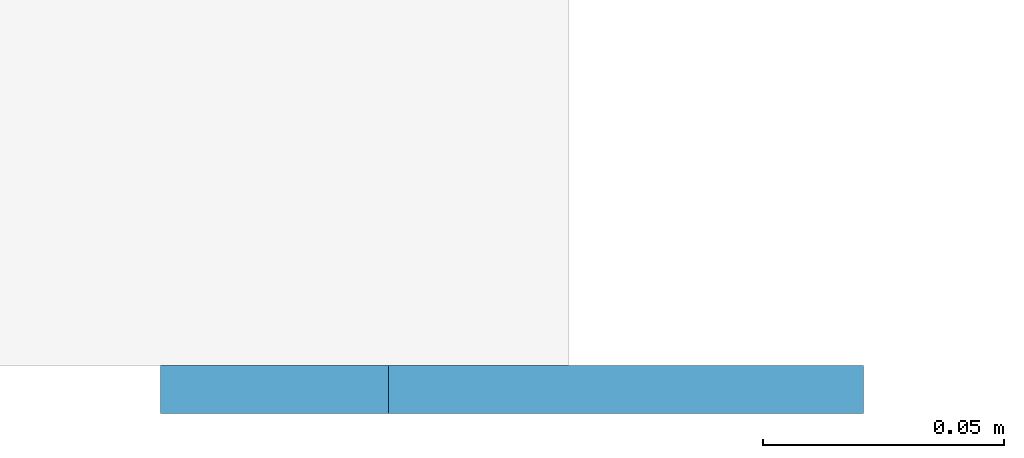
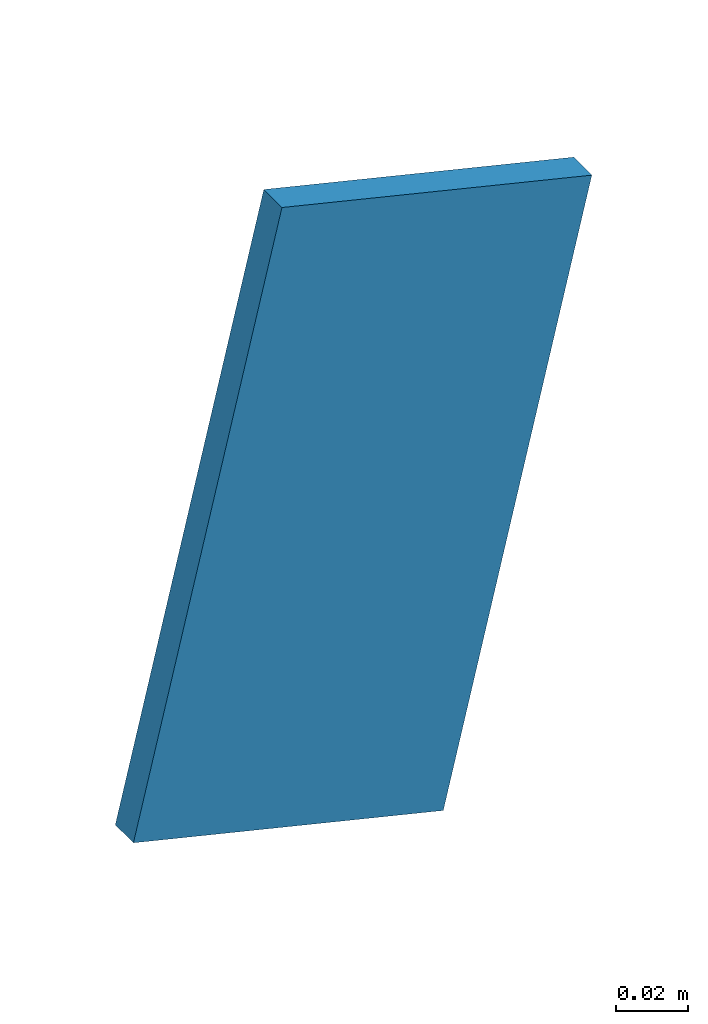
# One storey, part 3 of 13: 1 discrete accessory.
"""IFC4 building model written with IfcOpenShell, lengths in metres."""

import ifcopenshell
import ifcopenshell.guid

model = None  # the IFC model being written
_history = None  # IfcOwnerHistory: only IFC2X3 demands one
_inside = {}  # id of a spatial element -> (the spatial element, [elements in it])
_under = {}  # id of a project, library or spatial element -> (it, [spatial elements below it])
_declared = {}  # id of a project -> (the project, [libraries it declares])
_typed = {}  # id of a type object -> (the type object, [elements of that type])
_made_of = {}  # id of a material, layer set ... -> (it, [elements and type objects made of it])


def new_model(schema):
    """Start an empty IFC model of exactly this schema.

    Asked for "IFC4X3", IfcOpenShell would pick the latest addendum, in which some entities
    have other attributes; the version numbers below select the first issue.
    IFC2X3 requires an IfcOwnerHistory on every rooted entity: one is made here for all.
    """
    global model, _history
    if schema == "IFC4X3":
        model = ifcopenshell.file(schema_version=(4, 3, 0, 0))
    else:
        model = ifcopenshell.file(schema=schema)
    _inside.clear()
    _under.clear()
    _declared.clear()
    _typed.clear()
    _made_of.clear()
    _history = None
    if model.schema == "IFC2X3":
        org = make("IfcOrganization", Name="unknown")
        user = make(
            "IfcPersonAndOrganization",
            ThePerson=make("IfcPerson", FamilyName="unknown"),
            TheOrganization=org,
        )
        app = make(
            "IfcApplication",
            ApplicationDeveloper=org,
            Version="unknown",
            ApplicationFullName="unknown",
            ApplicationIdentifier="unknown",
        )
        _history = make(
            "IfcOwnerHistory",
            OwningUser=user,
            OwningApplication=app,
            ChangeAction="ADDED",
            CreationDate=0,
        )
    return model


def make(cls, **values):
    """One entity of the class cls with the attributes given. An attribute that is None is left unset."""
    return model.create_entity(
        cls, **{name: value for name, value in values.items() if value is not None}
    )


def rooted(cls, **values):
    """An entity with a GlobalId (a new one), such as an element, a storey or a relation."""
    return make(cls, GlobalId=ifcopenshell.guid.new(), OwnerHistory=_history, **values)


def si_unit(unit_type, name, prefix=None):
    """IfcSIUnit, for example si_unit("LENGTHUNIT", "METRE", prefix="MILLI")."""
    return make("IfcSIUnit", UnitType=unit_type, Prefix=prefix, Name=name)


def assignment(units):
    """IfcUnitAssignment: the units of a project."""
    return None if units is None else make("IfcUnitAssignment", Units=units)


def point(xyz):
    """IfcCartesianPoint."""
    return None if xyz is None else make("IfcCartesianPoint", Coordinates=xyz)


def direction(xyz):
    """IfcDirection."""
    return None if xyz is None else make("IfcDirection", DirectionRatios=xyz)


def frame(location, z_axis=None, x_axis=None):
    """IfcAxis2Placement3D, a coordinate frame: its origin and axes. An axis left out is left unset."""
    return make(
        "IfcAxis2Placement3D",
        Location=point(location),
        Axis=direction(z_axis),
        RefDirection=direction(x_axis),
    )


def frame_2d(location, x_axis=None):
    """IfcAxis2Placement2D, a coordinate frame in the plane: its origin and x axis."""
    return make(
        "IfcAxis2Placement2D", Location=point(location), RefDirection=direction(x_axis)
    )


def origin():
    """The frame at (0, 0, 0) with its axes left unset."""
    return frame((0.0, 0.0, 0.0))


def origin_2d():
    """The frame at (0, 0) in the plane with its x axis left unset."""
    return frame_2d((0.0, 0.0))


def place(relative_to, where):
    """IfcLocalPlacement: puts the frame where relative to a parent placement (None: the world)."""
    return make(
        "IfcLocalPlacement", PlacementRelTo=relative_to, RelativePlacement=where
    )


def context(
    kind, dimensions, precision=None, world=None, true_north=None, identifier=None
):
    """IfcGeometricRepresentationContext, for example the 3D "Model" context."""
    return make(
        "IfcGeometricRepresentationContext",
        ContextIdentifier=identifier,
        ContextType=kind,
        CoordinateSpaceDimension=dimensions,
        Precision=precision,
        WorldCoordinateSystem=world,
        TrueNorth=true_north,
    )


def subcontext(parent, identifier, kind, view, scale=None):
    """IfcGeometricRepresentationSubContext, for example "Body" below "Model"."""
    return make(
        "IfcGeometricRepresentationSubContext",
        ContextIdentifier=identifier,
        ContextType=kind,
        ParentContext=parent,
        TargetScale=scale,
        TargetView=view,
    )


def project(units=None, contexts=None):
    """IfcProject with its units and contexts."""
    return rooted(
        "IfcProject",
        Name="project",
        RepresentationContexts=contexts,
        UnitsInContext=assignment(units),
    )


def spatial(cls, under=None, at=None, **own):
    """A site, building, storey or space (cls), placed at a placement, below another one or the project."""
    s = rooted(cls, ObjectPlacement=at, **own)
    if under is not None:
        _under.setdefault(under.id(), (under, []))[1].append(s)
    return s


def profile(cls, at=None, kind="AREA", **sizes):
    """A parametric profile (cls). Its sizes go by their IFC names, for example OverallWidth=200.0."""
    return make(cls, ProfileType=kind, Position=at, **sizes)


def rectangle(**sizes):
    """IfcRectangleProfileDef."""
    return profile("IfcRectangleProfileDef", **sizes)


def extrude(swept, where, along, depth):
    """IfcExtrudedAreaSolid: the profile swept, set in the frame where, extruded along a direction by depth."""
    return make(
        "IfcExtrudedAreaSolid",
        SweptArea=swept,
        Position=where,
        ExtrudedDirection=direction(along),
        Depth=depth,
    )


def shape(context_of_items, identifier, shape_type, items):
    """IfcShapeRepresentation: the items that make up one representation, for example the "Body"."""
    return make(
        "IfcShapeRepresentation",
        ContextOfItems=context_of_items,
        RepresentationIdentifier=identifier,
        RepresentationType=shape_type,
        Items=items,
    )


def material(Name=None, Category=None):
    """IfcMaterial."""
    return make("IfcMaterial", Name=Name, Category=Category)


def material_profile(
    of_material, cross_section, Name=None, Category=None, Priority=None
):
    """IfcMaterialProfile: a cross section and its material."""
    return make(
        "IfcMaterialProfile",
        Name=Name,
        Material=of_material,
        Profile=cross_section,
        Priority=Priority,
        Category=Category,
    )


def profile_set(profiles, Name=None, composite=None):
    """IfcMaterialProfileSet."""
    return make(
        "IfcMaterialProfileSet",
        Name=Name,
        MaterialProfiles=profiles,
        CompositeProfile=composite,
    )


def made_of(thing, what):
    """Note that an element or type object is made of a material, layer set ...; save() writes the relation."""
    if what is not None:
        _made_of.setdefault(what.id(), (what, []))[1].append(thing)
    return thing


def type_object(cls, material=None, **own):
    """A type object (cls), such as IfcWallType, which elements share."""
    return made_of(rooted(cls, **own), material)


def element(
    cls,
    number,
    at=None,
    inside=None,
    cuts=None,
    type_object=None,
    material=None,
    context=None,
    identifier="Body",
    shape_type=None,
    held_by="IfcProductDefinitionShape",
    body=None,
    shapes=None,
    **own,
):
    """One element of the class cls, such as IfcWall. Its Tag is "e" and its number.

    at: its placement. inside: the storey or other place that contains it. cuts: it is an
    opening in that element (IfcRelVoidsElement). A single representation is given by context,
    identifier, shape_type and body (its items); several are given by shapes. held_by: the class
    of the entity that holds the representations. save() writes the other relations.
    """
    e = rooted(cls, Tag="e%d" % number, ObjectPlacement=at, **own)
    if body is not None:
        shapes = [shape(context, identifier, shape_type, body)]
    if shapes is not None:
        e.Representation = make(held_by, Representations=shapes)
    if inside is not None:
        _inside.setdefault(inside.id(), (inside, []))[1].append(e)
    if cuts is not None:
        rooted(
            "IfcRelVoidsElement", RelatingBuildingElement=cuts, RelatedOpeningElement=e
        )
    if type_object is not None:
        _typed.setdefault(type_object.id(), (type_object, []))[1].append(e)
    return made_of(e, material)


def aggregate(whole, parts):
    """IfcRelAggregates: a whole, such as a stair, and the parts it consists of."""
    return rooted("IfcRelAggregates", RelatingObject=whole, RelatedObjects=parts)


def save(model, path):
    """Write the relations noted so far, then the file.

    IfcRelAggregates (storeys below a building ...), IfcRelContainedInSpatialStructure (elements
    in a storey), IfcRelDefinesByType, IfcRelAssociatesMaterial and IfcRelDeclares: one each for
    every whole, place, type object, material and project.
    """
    for whole, parts in _under.values():
        aggregate(whole, parts)
    for where, things in _inside.values():
        rooted(
            "IfcRelContainedInSpatialStructure",
            RelatedElements=things,
            RelatingStructure=where,
        )
    for kind, things in _typed.values():
        rooted("IfcRelDefinesByType", RelatedObjects=things, RelatingType=kind)
    for what, things in _made_of.values():
        rooted("IfcRelAssociatesMaterial", RelatedObjects=things, RelatingMaterial=what)
    for by, libraries in _declared.values():
        rooted("IfcRelDeclares", RelatingContext=by, RelatedDefinitions=libraries)
    model.write(path)


model = new_model("IFC4")

# Units and contexts
model_context = context("Model", 3, precision=1e-05, world=origin(), true_north=direction((0.0, 1.0)))
body_context = subcontext(model_context, "Body", "Model", "MODEL_VIEW")
ifc_project = project(units=[si_unit("LENGTHUNIT", "METRE"), si_unit("AREAUNIT", "SQUARE_METRE"), si_unit("VOLUMEUNIT", "CUBIC_METRE"), si_unit("PLANEANGLEUNIT", "RADIAN"), si_unit("MASSUNIT", "GRAM", prefix="KILO")], contexts=[model_context])

# Site, building, storey
site_placement = place(None, origin())
site = spatial("IfcSite", under=ifc_project, at=site_placement, CompositionType="ELEMENT")
building_placement = place(site_placement, origin())
building = spatial("IfcBuilding", under=site, at=building_placement, Name="Verrick Yard Athletic Hall", CompositionType="ELEMENT")
storey_placement = place(building_placement, frame((0.0, 0.0, 21.5)))
storey = spatial("IfcBuildingStorey", under=building, at=storey_placement, Name="Upper Roof", CompositionType="ELEMENT", Elevation=21.5)

# Discrete accessory
ifc_material = material(Name="Structural steel 350W (CSA G40.21)", Category="steel")
ifc_material_profile = material_profile(ifc_material, rectangle(XDim=0.1015625, YDim=0.203125, at=origin_2d()), Name="STR End cap plate 203x102x9.5")
ifc_profile_set = profile_set([ifc_material_profile], Name="Structural steel 350W (CSA G40.21)")
discrete_accessory_type = type_object("IfcDiscreteAccessoryType", Name="STR End cap plate 203x102x9.5", PredefinedType="BRACKET", material=ifc_profile_set)
discrete_accessory_placement = place(storey_placement, frame((63.10693359375, 71.989990234375, 0.151611328125), z_axis=(0.0, 1.0, 0.0), x_axis=(-0.972458956474, 0.0, 0.23307418985)))
element("IfcDiscreteAccessory", 1, at=discrete_accessory_placement, inside=storey, type_object=discrete_accessory_type, Name="End cap HB-PU-B-1-13 A", PredefinedType="BRACKET", context=body_context, shape_type="SweptSolid", body=[
    extrude(rectangle(XDim=0.1015625, YDim=0.203125, at=origin_2d()), origin(), (0.0, 0.0, 1.0), 0.010009765625),
])

save(model, "model.ifc")
